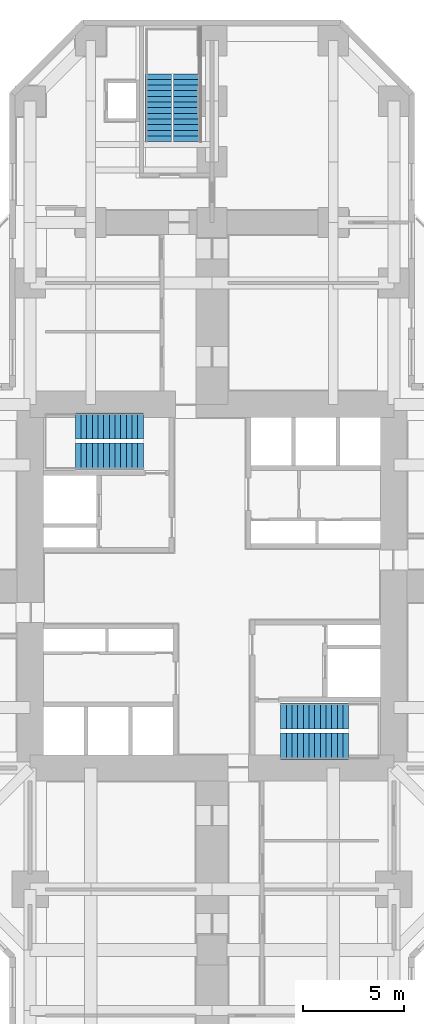
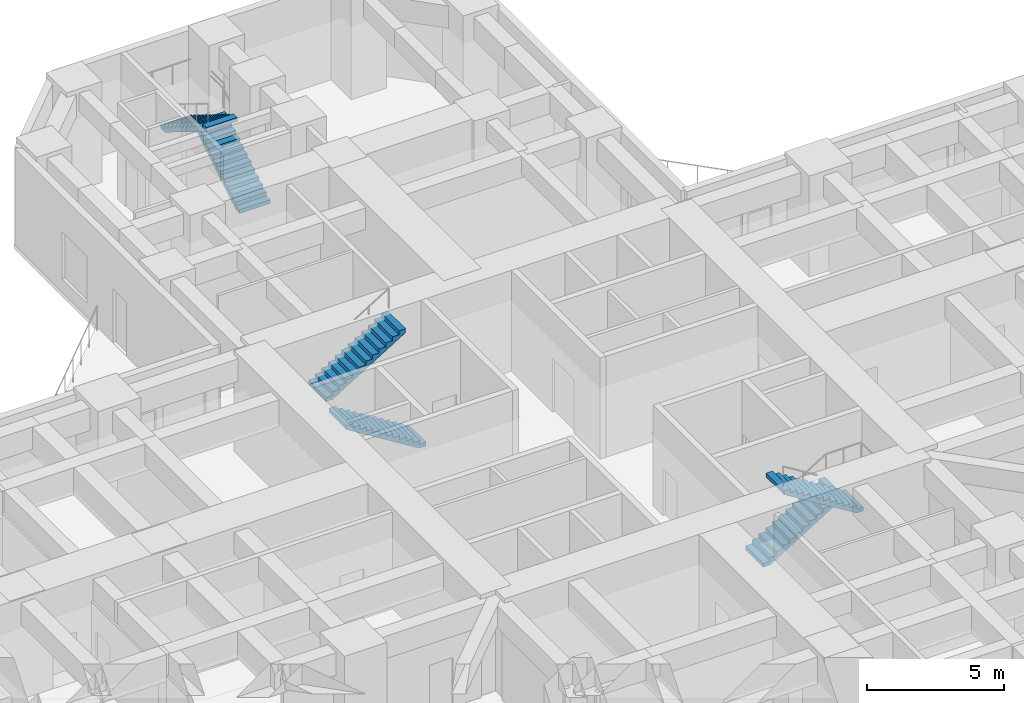
# One storey, part 8 of 10: 6 stair flights, 3 elements without a shape of their own.
"""IFC4 building model written with IfcOpenShell, lengths in metres."""

from ifc_helpers import new_model, si_unit, direction, frame, origin, place, context, subcontext, project, spatial, polyline, outline, extrude, material, type_object, element, aggregate, save


model = new_model("IFC4")

# Units and contexts
model_context = context("Model", 3, precision=1e-05, world=origin(), true_north=direction((0.0, 1.0)))
body_context = subcontext(model_context, "Body", "Model", "MODEL_VIEW")
ifc_project = project(units=[si_unit("LENGTHUNIT", "METRE"), si_unit("AREAUNIT", "SQUARE_METRE"), si_unit("VOLUMEUNIT", "CUBIC_METRE"), si_unit("PLANEANGLEUNIT", "RADIAN"), si_unit("MASSUNIT", "GRAM", prefix="KILO")], contexts=[model_context])

# Site, building, storey
site_placement = place(None, origin())
site = spatial("IfcSite", under=ifc_project, at=site_placement, CompositionType="ELEMENT")
building_placement = place(site_placement, origin())
building = spatial("IfcBuilding", under=site, at=building_placement, Name="Torre Cruceta", CompositionType="ELEMENT")
storey_placement = place(building_placement, frame((0.0, 0.0, 5.0)))
storey = spatial("IfcBuildingStorey", under=building, at=storey_placement, Name="L01", CompositionType="ELEMENT", Elevation=5.0)

# Stair, stair flights
ifc_material_1 = material(Name="Concrete G30 (fck 30 MPa)", Category="concrete")
stair_type = type_object("IfcStairType", Name="STAIR HALF-TURN 1300", PredefinedType="HALF_TURN_STAIR", material=ifc_material_1)
stair_1_placement = place(storey_placement, origin())
stair_1 = element("IfcStair", 1, at=stair_1_placement, inside=storey, type_object=stair_type, Name="Stair ST1 L01", PredefinedType="HALF_TURN_STAIR")
ifc_material_2 = material(Name="Concrete G30 (fck 30 MPa)", Category="concrete")
stair_flight_type = type_object("IfcStairFlightType", Name="STAIR FLIGHT 1300", PredefinedType="STRAIGHT", material=ifc_material_2)
stair_flight_1_placement = place(storey_placement, frame((-3.39990234375, 6.425048828125, 0.0), z_axis=(0.0, 0.0, 1.0), x_axis=(-1.0, 0.0, 0.0)))
stair_flight_1 = element("IfcStairFlight", 2, at=stair_flight_1_placement, type_object=stair_flight_type, Name="ST1 flight 1", NumberOfRisers=13, NumberOfTreads=12, PredefinedType="STRAIGHT", RiserHeight=0.173076923, TreadLength=0.28, context=body_context, shape_type="SweptSolid", body=[
    extrude(outline(polyline([(0.0, 0.0), (0.0, 0.173095703125), (0.280029296875, 0.173095703125), (0.280029296875, 0.34619140625), (0.56005859375, 0.34619140625), (0.56005859375, 0.519287109375), (0.840087890625, 0.519287109375), (0.840087890625, 0.6923828125), (1.1201171875, 0.6923828125), (1.1201171875, 0.865478515625), (1.39990234375, 0.865478515625), (1.39990234375, 1.03857421875), (1.679931640625, 1.03857421875), (1.679931640625, 1.21142578125), (1.9599609375, 1.21142578125), (1.9599609375, 1.384521484375), (2.239990234375, 1.384521484375), (2.239990234375, 1.5576171875), (2.52001953125, 1.5576171875), (2.52001953125, 1.730712890625), (2.800048828125, 1.730712890625), (2.800048828125, 1.90380859375), (3.080078125, 1.90380859375), (3.080078125, 2.076904296875), (3.360107421875, 2.076904296875), (3.360107421875, 2.25), (3.360107421875, 1.900634765625), (0.28515625, 0.0), (0.0, 0.0)])), frame((0.0, 0.64990234375, 0.0), z_axis=(0.0, -1.0, 0.0), x_axis=(1.0, 0.0, 0.0)), (0.0, 0.0, 1.0), 1.300048828125),
])
stair_flight_2_placement = place(storey_placement, frame((-6.760009765625, 7.925048828125, 2.25), z_axis=(0.0, 0.0, 1.0), x_axis=(1.0, 0.0, 0.0)))
stair_flight_2 = element("IfcStairFlight", 3, at=stair_flight_2_placement, type_object=stair_flight_type, Name="ST1 flight 2", NumberOfRisers=13, NumberOfTreads=12, PredefinedType="STRAIGHT", RiserHeight=0.173076923, TreadLength=0.28, context=body_context, shape_type="SweptSolid", body=[
    extrude(outline(polyline([(0.0, 0.0), (0.0, 0.173095703125), (0.280029296875, 0.173095703125), (0.280029296875, 0.34619140625), (0.56005859375, 0.34619140625), (0.56005859375, 0.519287109375), (0.840087890625, 0.519287109375), (0.840087890625, 0.6923828125), (1.1201171875, 0.6923828125), (1.1201171875, 0.865478515625), (1.39990234375, 0.865478515625), (1.39990234375, 1.03857421875), (1.679931640625, 1.03857421875), (1.679931640625, 1.21142578125), (1.9599609375, 1.21142578125), (1.9599609375, 1.384521484375), (2.239990234375, 1.384521484375), (2.239990234375, 1.5576171875), (2.52001953125, 1.5576171875), (2.52001953125, 1.730712890625), (2.800048828125, 1.730712890625), (2.800048828125, 1.90380859375), (3.080078125, 1.90380859375), (3.080078125, 2.076904296875), (3.360107421875, 2.076904296875), (3.360107421875, 2.25), (3.360107421875, 1.900634765625), (0.28515625, 0.0), (0.0, 0.0)])), frame((0.0, 0.64990234375, 0.0), z_axis=(0.0, -1.0, 0.0), x_axis=(1.0, 0.0, 0.0)), (0.0, 0.0, 1.0), 1.300048828125),
])
aggregate(stair_1, [stair_flight_1, stair_flight_2])

stair_2_placement = place(storey_placement, origin())
stair_2 = element("IfcStair", 4, at=stair_2_placement, inside=storey, type_object=stair_type, Name="Stair ST2 L01", PredefinedType="HALF_TURN_STAIR")
stair_flight_3_placement = place(storey_placement, frame((3.39990234375, -6.425048828125, 0.0), z_axis=(0.0, 0.0, 1.0), x_axis=(1.0, 0.0, 0.0)))
stair_flight_3 = element("IfcStairFlight", 5, at=stair_flight_3_placement, type_object=stair_flight_type, Name="ST2 flight 1", NumberOfRisers=13, NumberOfTreads=12, PredefinedType="STRAIGHT", RiserHeight=0.173076923, TreadLength=0.28, context=body_context, shape_type="SweptSolid", body=[
    extrude(outline(polyline([(0.0, 0.0), (0.0, 0.173095703125), (0.280029296875, 0.173095703125), (0.280029296875, 0.34619140625), (0.56005859375, 0.34619140625), (0.56005859375, 0.519287109375), (0.840087890625, 0.519287109375), (0.840087890625, 0.6923828125), (1.1201171875, 0.6923828125), (1.1201171875, 0.865478515625), (1.39990234375, 0.865478515625), (1.39990234375, 1.03857421875), (1.679931640625, 1.03857421875), (1.679931640625, 1.21142578125), (1.9599609375, 1.21142578125), (1.9599609375, 1.384521484375), (2.239990234375, 1.384521484375), (2.239990234375, 1.5576171875), (2.52001953125, 1.5576171875), (2.52001953125, 1.730712890625), (2.800048828125, 1.730712890625), (2.800048828125, 1.90380859375), (3.080078125, 1.90380859375), (3.080078125, 2.076904296875), (3.360107421875, 2.076904296875), (3.360107421875, 2.25), (3.360107421875, 1.900634765625), (0.28515625, 0.0), (0.0, 0.0)])), frame((0.0, 0.64990234375, 0.0), z_axis=(0.0, -1.0, 0.0), x_axis=(1.0, 0.0, 0.0)), (0.0, 0.0, 1.0), 1.300048828125),
])
stair_flight_4_placement = place(storey_placement, frame((6.760009765625, -7.925048828125, 2.25), z_axis=(0.0, 0.0, 1.0), x_axis=(-1.0, 0.0, 0.0)))
stair_flight_4 = element("IfcStairFlight", 6, at=stair_flight_4_placement, type_object=stair_flight_type, Name="ST2 flight 2", NumberOfRisers=13, NumberOfTreads=12, PredefinedType="STRAIGHT", RiserHeight=0.173076923, TreadLength=0.28, context=body_context, shape_type="SweptSolid", body=[
    extrude(outline(polyline([(0.0, 0.0), (0.0, 0.173095703125), (0.280029296875, 0.173095703125), (0.280029296875, 0.34619140625), (0.56005859375, 0.34619140625), (0.56005859375, 0.519287109375), (0.840087890625, 0.519287109375), (0.840087890625, 0.6923828125), (1.1201171875, 0.6923828125), (1.1201171875, 0.865478515625), (1.39990234375, 0.865478515625), (1.39990234375, 1.03857421875), (1.679931640625, 1.03857421875), (1.679931640625, 1.21142578125), (1.9599609375, 1.21142578125), (1.9599609375, 1.384521484375), (2.239990234375, 1.384521484375), (2.239990234375, 1.5576171875), (2.52001953125, 1.5576171875), (2.52001953125, 1.730712890625), (2.800048828125, 1.730712890625), (2.800048828125, 1.90380859375), (3.080078125, 1.90380859375), (3.080078125, 2.076904296875), (3.360107421875, 2.076904296875), (3.360107421875, 2.25), (3.360107421875, 1.900634765625), (0.28515625, 0.0), (0.0, 0.0)])), frame((0.0, 0.64990234375, 0.0), z_axis=(0.0, -1.0, 0.0), x_axis=(1.0, 0.0, 0.0)), (0.0, 0.0, 1.0), 1.300048828125),
])
aggregate(stair_2, [stair_flight_3, stair_flight_4])

stair_3_placement = place(storey_placement, origin())
stair_3 = element("IfcStair", 7, at=stair_3_placement, inside=storey, type_object=stair_type, Name="Stair ST3 L01", PredefinedType="HALF_TURN_STAIR")
stair_flight_5_placement = place(storey_placement, frame((-1.25, 22.0, 0.0), z_axis=(0.0, 0.0, 1.0), x_axis=(0.0, 1.0, 0.0)))
stair_flight_5 = element("IfcStairFlight", 8, at=stair_flight_5_placement, type_object=stair_flight_type, Name="ST3 flight 1", NumberOfRisers=13, NumberOfTreads=12, PredefinedType="STRAIGHT", RiserHeight=0.173076923, TreadLength=0.28, context=body_context, shape_type="SweptSolid", body=[
    extrude(outline(polyline([(0.0, 0.0), (0.0, 0.173095703125), (0.280029296875, 0.173095703125), (0.280029296875, 0.34619140625), (0.56005859375, 0.34619140625), (0.56005859375, 0.519287109375), (0.840087890625, 0.519287109375), (0.840087890625, 0.6923828125), (1.1201171875, 0.6923828125), (1.1201171875, 0.865478515625), (1.39990234375, 0.865478515625), (1.39990234375, 1.03857421875), (1.679931640625, 1.03857421875), (1.679931640625, 1.21142578125), (1.9599609375, 1.21142578125), (1.9599609375, 1.384521484375), (2.239990234375, 1.384521484375), (2.239990234375, 1.5576171875), (2.52001953125, 1.5576171875), (2.52001953125, 1.730712890625), (2.800048828125, 1.730712890625), (2.800048828125, 1.90380859375), (3.080078125, 1.90380859375), (3.080078125, 2.076904296875), (3.360107421875, 2.076904296875), (3.360107421875, 2.25), (3.360107421875, 1.900634765625), (0.28515625, 0.0), (0.0, 0.0)])), frame((0.0, 0.64990234375, 0.0), z_axis=(0.0, -1.0, 0.0), x_axis=(1.0, 0.0, 0.0)), (0.0, 0.0, 1.0), 1.300048828125),
])
stair_flight_6_placement = place(storey_placement, frame((-2.64990234375, 25.360107421875, 2.25), z_axis=(0.0, 0.0, 1.0), x_axis=(0.0, -1.0, 0.0)))
stair_flight_6 = element("IfcStairFlight", 9, at=stair_flight_6_placement, type_object=stair_flight_type, Name="ST3 flight 2", NumberOfRisers=13, NumberOfTreads=12, PredefinedType="STRAIGHT", RiserHeight=0.173076923, TreadLength=0.28, context=body_context, shape_type="SweptSolid", body=[
    extrude(outline(polyline([(0.0, 0.0), (0.0, 0.173095703125), (0.280029296875, 0.173095703125), (0.280029296875, 0.34619140625), (0.56005859375, 0.34619140625), (0.56005859375, 0.519287109375), (0.840087890625, 0.519287109375), (0.840087890625, 0.6923828125), (1.1201171875, 0.6923828125), (1.1201171875, 0.865478515625), (1.39990234375, 0.865478515625), (1.39990234375, 1.03857421875), (1.679931640625, 1.03857421875), (1.679931640625, 1.21142578125), (1.9599609375, 1.21142578125), (1.9599609375, 1.384521484375), (2.239990234375, 1.384521484375), (2.239990234375, 1.5576171875), (2.52001953125, 1.5576171875), (2.52001953125, 1.730712890625), (2.800048828125, 1.730712890625), (2.800048828125, 1.90380859375), (3.080078125, 1.90380859375), (3.080078125, 2.076904296875), (3.360107421875, 2.076904296875), (3.360107421875, 2.25), (3.360107421875, 1.900634765625), (0.28515625, 0.0), (0.0, 0.0)])), frame((0.0, 0.64990234375, 0.0), z_axis=(0.0, -1.0, 0.0), x_axis=(1.0, 0.0, 0.0)), (0.0, 0.0, 1.0), 1.300048828125),
])
aggregate(stair_3, [stair_flight_5, stair_flight_6])

save(model, "model.ifc")
